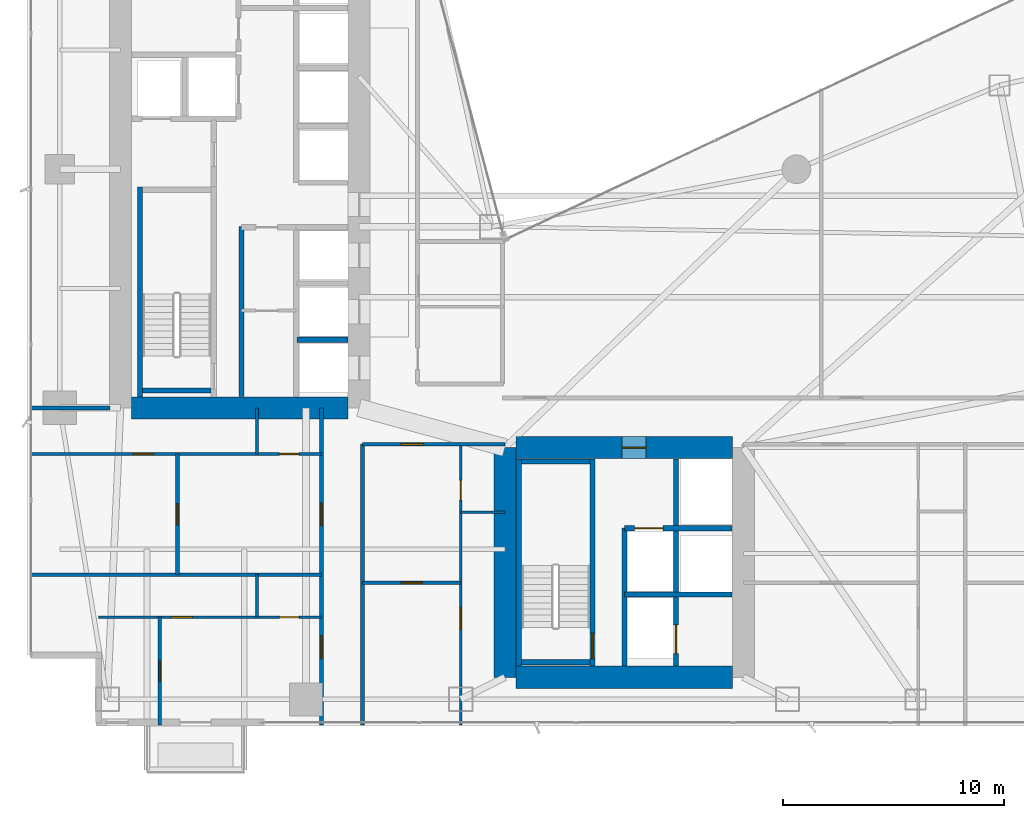
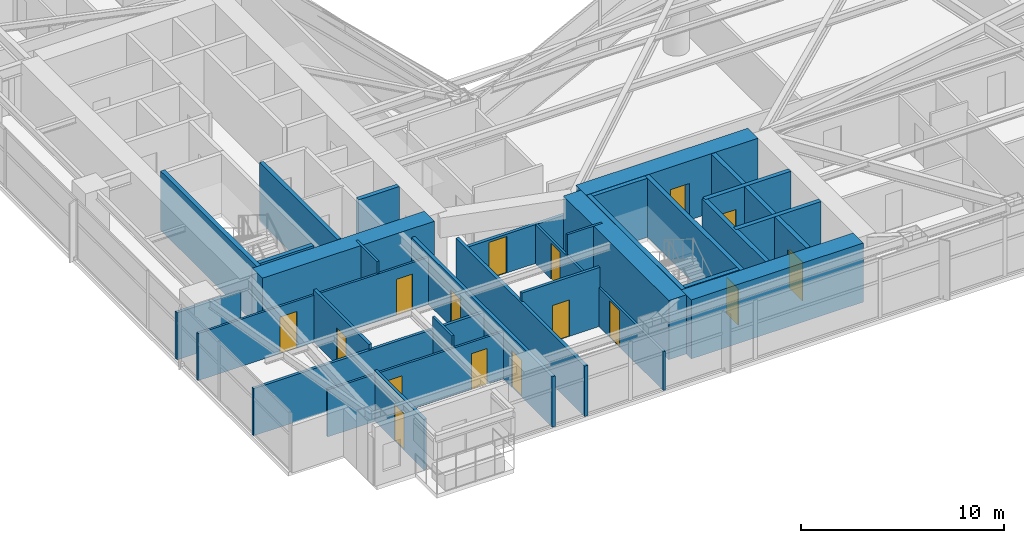
# One storey, part 22 of 29: 30 walls, 16 doors, 16 openings.
"""IFC4 building model written with IfcOpenShell, lengths in metres."""

from ifc_helpers import new_model, si_unit, direction, frame, frame_2d, origin, place, context, subcontext, project, spatial, rectangle, extrude, material, layer, layer_set, type_object, element, fill, save


model = new_model("IFC4")

# Units and contexts
model_context = context("Model", 3, precision=1e-05, world=origin(), true_north=direction((0.0, 1.0)))
body_context = subcontext(model_context, "Body", "Model", "MODEL_VIEW")
ifc_project = project(units=[si_unit("LENGTHUNIT", "METRE"), si_unit("AREAUNIT", "SQUARE_METRE"), si_unit("VOLUMEUNIT", "CUBIC_METRE"), si_unit("PLANEANGLEUNIT", "RADIAN"), si_unit("MASSUNIT", "GRAM", prefix="KILO")], contexts=[model_context])

# Site, building, storey
site_placement = place(None, origin())
site = spatial("IfcSite", under=ifc_project, at=site_placement, CompositionType="ELEMENT")
building_placement = place(site_placement, origin())
building = spatial("IfcBuilding", under=site, at=building_placement, Name="Calvorn Quay Hotel", CompositionType="ELEMENT")
storey_placement = place(building_placement, frame((0.0, 0.0, 66.0)))
storey = spatial("IfcBuildingStorey", under=building, at=storey_placement, Name="L15", CompositionType="ELEMENT", Elevation=66.0)

# Walls
ifc_material_1 = material(Name="Concrete C60", Category="concrete")
ifc_layer_1 = layer(ifc_material_1, 1.0)
ifc_layer_set_1 = layer_set([ifc_layer_1], Name="WL-CORE-1000")
wall_type_1 = type_object("IfcWallType", Name="WL-CORE-1000", PredefinedType="SHEAR", material=ifc_layer_set_1)
wall_1_placement = place(storey_placement, frame((4.699951171875, 16.800048828125, 0.0), z_axis=(0.0, 0.0, 1.0), x_axis=(1.0, 0.0, 0.0)))
element("IfcWall", 1, at=wall_1_placement, inside=storey, type_object=wall_type_1, Name="West Core Shear Wall S (L15)", PredefinedType="SHEAR", context=body_context, shape_type="SweptSolid", body=[
    extrude(rectangle(XDim=9.800048828125, YDim=1.0, at=frame_2d((4.89990234375, 0.0))), origin(), (0.0, 0.0, 1.0), 3.56005859375),
])
wall_2_placement = place(storey_placement, frame((21.60009765625, 4.60009765625, 0.0), z_axis=(0.0, 0.0, 1.0), x_axis=(0.0, 1.0, 0.0)))
element("IfcWall", 2, at=wall_2_placement, inside=storey, type_object=wall_type_1, Name="East Core Shear Wall W (L15)", PredefinedType="SHEAR", context=body_context, shape_type="SweptSolid", body=[
    extrude(rectangle(XDim=10.39990234375, YDim=1.0, at=frame_2d((5.199951171875, 0.0))), origin(), (0.0, 0.0, 1.0), 3.56005859375),
])

# Wall, opening, door
wall_3_placement = place(storey_placement, frame((22.10009765625, 15.0, 0.0), z_axis=(0.0, 0.0, 1.0), x_axis=(1.0, 0.0, 0.0)))
wall_3 = element("IfcWall", 3, at=wall_3_placement, inside=storey, type_object=wall_type_1, Name="East Core Shear Wall N (L15)", PredefinedType="SHEAR", context=body_context, shape_type="SweptSolid", body=[
    extrude(rectangle(XDim=9.7998046875, YDim=1.0, at=frame_2d((4.89990234375, 0.0))), origin(), (0.0, 0.0, 1.0), 3.56005859375),
])
opening_1_placement = place(wall_3_placement, frame((4.800048828125, 0.0, 0.0)))
opening_1 = element("IfcOpeningElement", 4, at=opening_1_placement, cuts=wall_3, Name="Opening D-L15-FLE", PredefinedType="OPENING", context=body_context, shape_type="SweptSolid", body=[
    extrude(rectangle(XDim=1.10009765625, YDim=2.199951171875, at=frame_2d((0.550048828125, 1.10009765625))), frame((0.0, 0.510009765625, 0.0), z_axis=(0.0, -1.0, 0.0), x_axis=(1.0, 0.0, 0.0)), (0.0, 0.0, 1.0), 1.02001953125),
])
ifc_material_2 = material(Name="Smoke-Sealed Steel Class A Fire Door", Category="steel")
door_type_1 = type_object("IfcDoorType", Name="DR-FFLOBBY-1100", OperationType="NOTDEFINED", PredefinedType="DOOR", material=ifc_material_2)
door_1_placement = place(opening_1_placement, origin())
door_1 = element("IfcDoor", 5, at=door_1_placement, inside=storey, type_object=door_type_1, Name="East Firefighting Lobby Fire Door (L15)", OperationType="SINGLE_SWING_LEFT", OverallHeight=2.199951171875, OverallWidth=1.10009765625, PredefinedType="DOOR", context=body_context, shape_type="SweptSolid", body=[
    extrude(rectangle(XDim=1.10009765625, YDim=2.199951171875, at=frame_2d((0.550048828125, 1.10009765625))), frame((0.0, 0.02490234375, 0.0), z_axis=(0.0, -1.0, 0.0), x_axis=(1.0, 0.0, 0.0)), (0.0, 0.0, 1.0), 0.050048828125),
])
fill(opening_1, door_1)

# Walls
wall_4_placement = place(storey_placement, frame((22.10009765625, 4.60009765625, 0.0), z_axis=(0.0, 0.0, 1.0), x_axis=(1.0, 0.0, 0.0)))
element("IfcWall", 6, at=wall_4_placement, inside=storey, type_object=wall_type_1, Name="East Core Shear Wall S (L15)", PredefinedType="SHEAR", context=body_context, shape_type="SweptSolid", body=[
    extrude(rectangle(XDim=9.7998046875, YDim=1.0, at=frame_2d((4.89990234375, 0.0))), origin(), (0.0, 0.0, 1.0), 3.56005859375),
])
ifc_material_3 = material(Name="Acoustic Fireboard Steel-Stud Partition", Category="steel")
ifc_layer_2 = layer(ifc_material_3, 0.179931640625)
ifc_layer_set_2 = layer_set([ifc_layer_2], Name="WL-CORR-FIRE-180")
wall_type_2 = type_object("IfcWallType", Name="WL-CORR-FIRE-180", PredefinedType="PARTITIONING", material=ifc_layer_set_2)
wall_5_placement = place(storey_placement, frame((0.080078125, 16.800048828125, 0.0), z_axis=(0.0, 0.0, 1.0), x_axis=(1.0, 0.0, 0.0)))
element("IfcWall", 7, at=wall_5_placement, inside=storey, type_object=wall_type_2, Name="Partition Wall L15-WL-WBAY-S-WALL", PredefinedType="PARTITIONING", context=body_context, shape_type="SweptSolid", body=[
    extrude(rectangle(XDim=3.64990234375, YDim=0.179931640625, at=frame_2d((1.824951171875, 0.0))), origin(), (0.0, 0.0, 1.0), 2.840087890625),
])

# Wall, openings, doors
wall_6_placement = place(storey_placement, frame((13.300048828125, 2.43994140625, 0.0), z_axis=(0.0, 0.0, 1.0), x_axis=(0.0, 1.0, 0.0)))
wall_6 = element("IfcWall", 8, at=wall_6_placement, inside=storey, type_object=wall_type_2, Name="Partition Wall L15-WL-CORR-SW-LEG-W", PredefinedType="PARTITIONING", context=body_context, shape_type="SweptSolid", body=[
    extrude(rectangle(XDim=14.360107421875, YDim=0.179931640625, at=frame_2d((7.18017578125, 0.0))), origin(), (0.0, 0.0, 1.0), 3.0400390625),
])
opening_2_placement = place(wall_6_placement, frame((3.010009765625, 0.0, 0.0)))
opening_2 = element("IfcOpeningElement", 9, at=opening_2_placement, cuts=wall_6, Name="Opening D-L15-U01", PredefinedType="OPENING", context=body_context, shape_type="SweptSolid", body=[
    extrude(rectangle(XDim=1.02001953125, YDim=2.199951171875, at=frame_2d((0.510009765625, 1.10009765625))), frame((0.0, 0.099853515625, 0.0), z_axis=(0.0, -1.0, 0.0), x_axis=(1.0, 0.0, 0.0)), (0.0, 0.0, 1.0), 0.199951171875),
])
opening_3_placement = place(wall_6_placement, frame((9.030029296875, 0.0, 0.0)))
opening_3 = element("IfcOpeningElement", 10, at=opening_3_placement, cuts=wall_6, Name="Opening D-L15-U02", PredefinedType="OPENING", context=body_context, shape_type="SweptSolid", body=[
    extrude(rectangle(XDim=1.02001953125, YDim=2.199951171875, at=frame_2d((0.510009765625, 1.10009765625))), frame((0.0, 0.099853515625, 0.0), z_axis=(0.0, -1.0, 0.0), x_axis=(1.0, 0.0, 0.0)), (0.0, 0.0, 1.0), 0.199951171875),
])
ifc_material_4 = material(Name="Solid-Core Walnut Veneer Hotel Fire Door")
door_type_2 = type_object("IfcDoorType", Name="DR-GUEST-ENTRY-1020", OperationType="NOTDEFINED", PredefinedType="DOOR", material=ifc_material_4)
door_2_placement = place(opening_2_placement, origin())
door_2 = element("IfcDoor", 11, at=door_2_placement, inside=storey, type_object=door_type_2, Name="South-West Unit Door U01 (L15)", OperationType="SINGLE_SWING_LEFT", OverallHeight=2.199951171875, OverallWidth=1.02001953125, PredefinedType="DOOR", context=body_context, shape_type="SweptSolid", body=[
    extrude(rectangle(XDim=1.02001953125, YDim=2.199951171875, at=frame_2d((0.510009765625, 1.10009765625))), frame((0.0, 0.02490234375, 0.0), z_axis=(0.0, -1.0, 0.0), x_axis=(1.0, 0.0, 0.0)), (0.0, 0.0, 1.0), 0.050048828125),
])
fill(opening_2, door_2)
door_3_placement = place(opening_3_placement, origin())
door_3 = element("IfcDoor", 12, at=door_3_placement, inside=storey, type_object=door_type_2, Name="South-West Unit Door U02 (L15)", OperationType="SINGLE_SWING_RIGHT", OverallHeight=2.199951171875, OverallWidth=1.02001953125, PredefinedType="DOOR", context=body_context, shape_type="SweptSolid", body=[
    extrude(rectangle(XDim=1.02001953125, YDim=2.199951171875, at=frame_2d((0.510009765625, 1.10009765625))), frame((0.0, 0.02490234375, 0.0), z_axis=(0.0, -1.0, 0.0), x_axis=(1.0, 0.0, 0.0)), (0.0, 0.0, 1.0), 0.050048828125),
])
fill(opening_3, door_3)

# Wall
wall_7_placement = place(storey_placement, frame((15.14990234375, 2.43994140625, 0.0), z_axis=(0.0, 0.0, 1.0), x_axis=(0.0, 1.0, 0.0)))
element("IfcWall", 13, at=wall_7_placement, inside=storey, type_object=wall_type_2, Name="Partition Wall L15-WL-CORR-SW-W", PredefinedType="PARTITIONING", context=body_context, shape_type="SweptSolid", body=[
    extrude(rectangle(XDim=12.7099609375, YDim=0.179931640625, at=frame_2d((6.35498046875, 0.0))), origin(), (0.0, 0.0, 1.0), 3.0400390625),
])

# Wall, opening, door
wall_8_placement = place(storey_placement, frame((15.14990234375, 15.14990234375, 0.0), z_axis=(0.0, 0.0, 1.0), x_axis=(1.0, 0.0, 0.0)))
wall_8 = element("IfcWall", 14, at=wall_8_placement, inside=storey, type_object=wall_type_2, Name="Partition Wall L15-WL-SC-CORR-S", PredefinedType="PARTITIONING", context=body_context, shape_type="SweptSolid", body=[
    extrude(rectangle(XDim=6.4501953125, YDim=0.179931640625, at=frame_2d((3.22509765625, 0.0))), origin(), (0.0, 0.0, 1.0), 2.340087890625),
])
opening_4_placement = place(wall_8_placement, frame((1.739990234375, 0.0, 0.0)))
opening_4 = element("IfcOpeningElement", 15, at=opening_4_placement, cuts=wall_8, Name="Opening D-L15-U03", PredefinedType="OPENING", context=body_context, shape_type="SweptSolid", body=[
    extrude(rectangle(XDim=1.02001953125, YDim=2.199951171875, at=frame_2d((0.510009765625, 1.10009765625))), frame((0.0, 0.099853515625, 0.0), z_axis=(0.0, -1.0, 0.0), x_axis=(1.0, 0.0, 0.0)), (0.0, 0.0, 1.0), 0.199951171875),
])
door_4_placement = place(opening_4_placement, origin())
door_4 = element("IfcDoor", 16, at=door_4_placement, inside=storey, type_object=door_type_2, Name="Harbour Central Unit Door (L15)", OperationType="SINGLE_SWING_LEFT", OverallHeight=2.199951171875, OverallWidth=1.02001953125, PredefinedType="DOOR", context=body_context, shape_type="SweptSolid", body=[
    extrude(rectangle(XDim=1.02001953125, YDim=2.199951171875, at=frame_2d((0.510009765625, 1.10009765625))), frame((0.0, 0.02490234375, 0.0), z_axis=(0.0, -1.0, 0.0), x_axis=(1.0, 0.0, 0.0)), (0.0, 0.0, 1.0), 0.050048828125),
])
fill(opening_4, door_4)

# Wall
ifc_material_5 = material(Name="Moisture-Resistant Tile-Backed Partition")
ifc_layer_3 = layer(ifc_material_5, 0.125)
ifc_layer_set_3 = layer_set([ifc_layer_3], Name="WL-ENSUITE-125")
wall_type_3 = type_object("IfcWallType", Name="WL-ENSUITE-125", PredefinedType="PARTITIONING", material=ifc_layer_set_3)
wall_9_placement = place(storey_placement, frame((10.3798828125, 7.320068359375, 0.0), z_axis=(0.0, 0.0, 1.0), x_axis=(0.0, 1.0, 0.0)))
element("IfcWall", 17, at=wall_9_placement, inside=storey, type_object=wall_type_3, Name="Partition Wall L15-WL-U01-BDV", PredefinedType="PARTITIONING", context=body_context, shape_type="SweptSolid", body=[
    extrude(rectangle(XDim=1.929931640625, YDim=0.125, at=frame_2d((0.96484375, 0.0))), origin(), (0.0, 0.0, 1.0), 3.56005859375),
])

# Wall, openings, doors
wall_10_placement = place(storey_placement, frame((3.199951171875, 7.320068359375, 0.0), z_axis=(0.0, 0.0, 1.0), x_axis=(1.0, 0.0, 0.0)))
wall_10 = element("IfcWall", 18, at=wall_10_placement, inside=storey, type_object=wall_type_3, Name="Partition Wall L15-WL-U01-BH", PredefinedType="PARTITIONING", context=body_context, shape_type="SweptSolid", body=[
    extrude(rectangle(XDim=10.10009765625, YDim=0.125, at=frame_2d((5.050048828125, 0.0))), origin(), (0.0, 0.0, 1.0), 2.840087890625),
])
opening_5_placement = place(wall_10_placement, frame((3.2900390625, 0.0, 0.0)))
opening_5 = element("IfcOpeningElement", 19, at=opening_5_placement, cuts=wall_10, Name="Opening D-L15-S01", PredefinedType="OPENING", context=body_context, shape_type="SweptSolid", body=[
    extrude(rectangle(XDim=0.9599609375, YDim=2.199951171875, at=frame_2d((0.47998046875, 1.10009765625))), frame((0.0, 0.072509765625, 0.0), z_axis=(0.0, -1.0, 0.0), x_axis=(1.0, 0.0, 0.0)), (0.0, 0.0, 1.0), 0.14501953125),
])
opening_6_placement = place(wall_10_placement, frame((8.18994140625, 0.0, 0.0)))
opening_6 = element("IfcOpeningElement", 20, at=opening_6_placement, cuts=wall_10, Name="Opening D-L15-E01", PredefinedType="OPENING", context=body_context, shape_type="SweptSolid", body=[
    extrude(rectangle(XDim=0.89990234375, YDim=2.14990234375, at=frame_2d((0.449951171875, 1.074951171875))), frame((0.0, 0.072509765625, 0.0), z_axis=(0.0, -1.0, 0.0), x_axis=(1.0, 0.0, 0.0)), (0.0, 0.0, 1.0), 0.14501953125),
])
ifc_material_6 = material(Name="Moisture-Sealed Timber En-Suite Door", Category="wood")
door_type_3 = type_object("IfcDoorType", Name="DR-ENSUITE-900", OperationType="NOTDEFINED", PredefinedType="DOOR", material=ifc_material_6)
door_5_placement = place(opening_6_placement, origin())
door_5 = element("IfcDoor", 21, at=door_5_placement, inside=storey, type_object=door_type_3, Name="En-Suite Door 01", OperationType="SINGLE_SWING_RIGHT", OverallHeight=2.14990234375, OverallWidth=0.89990234375, PredefinedType="DOOR", context=body_context, shape_type="SweptSolid", body=[
    extrude(rectangle(XDim=0.89990234375, YDim=2.14990234375, at=frame_2d((0.449951171875, 1.074951171875))), frame((0.0, 0.02490234375, 0.0), z_axis=(0.0, -1.0, 0.0), x_axis=(1.0, 0.0, 0.0)), (0.0, 0.0, 1.0), 0.050048828125),
])
fill(opening_6, door_5)
ifc_material_7 = material(Name="Solid Timber Internal Suite Door", Category="wood")
door_type_4 = type_object("IfcDoorType", Name="DR-SUITE-INT-960", OperationType="NOTDEFINED", PredefinedType="DOOR", material=ifc_material_7)
door_6_placement = place(opening_5_placement, origin())
door_6 = element("IfcDoor", 22, at=door_6_placement, inside=storey, type_object=door_type_4, Name="Spa Therapy Room Door 01", OperationType="SINGLE_SWING_LEFT", OverallHeight=2.199951171875, OverallWidth=0.9599609375, PredefinedType="DOOR", context=body_context, shape_type="SweptSolid", body=[
    extrude(rectangle(XDim=0.9599609375, YDim=2.199951171875, at=frame_2d((0.47998046875, 1.10009765625))), frame((0.0, 0.02490234375, 0.0), z_axis=(0.0, -1.0, 0.0), x_axis=(1.0, 0.0, 0.0)), (0.0, 0.0, 1.0), 0.050048828125),
])
fill(opening_5, door_6)

# Wall
wall_11_placement = place(storey_placement, frame((10.3798828125, 14.7099609375, 0.0), z_axis=(0.0, 0.0, 1.0), x_axis=(0.0, 1.0, 0.0)))
element("IfcWall", 23, at=wall_11_placement, inside=storey, type_object=wall_type_3, Name="Partition Wall L15-WL-U02-BDV", PredefinedType="PARTITIONING", context=body_context, shape_type="SweptSolid", body=[
    extrude(rectangle(XDim=2.090087890625, YDim=0.125, at=frame_2d((1.044921875, 0.0))), origin(), (0.0, 0.0, 1.0), 3.56005859375),
])

# Wall, openings, doors
wall_12_placement = place(storey_placement, frame((0.080078125, 14.7099609375, 0.0), z_axis=(0.0, 0.0, 1.0), x_axis=(1.0, 0.0, 0.0)))
wall_12 = element("IfcWall", 24, at=wall_12_placement, inside=storey, type_object=wall_type_3, Name="Partition Wall L15-WL-U02-BH", PredefinedType="PARTITIONING", context=body_context, shape_type="SweptSolid", body=[
    extrude(rectangle(XDim=13.219970703125, YDim=0.125, at=frame_2d((6.60986328125, 0.0))), origin(), (0.0, 0.0, 1.0), 2.840087890625),
])
opening_7_placement = place(wall_12_placement, frame((4.669921875, 0.0, 0.0)))
opening_7 = element("IfcOpeningElement", 25, at=opening_7_placement, cuts=wall_12, Name="Opening D-L15-S02", PredefinedType="OPENING", context=body_context, shape_type="SweptSolid", body=[
    extrude(rectangle(XDim=0.9599609375, YDim=2.199951171875, at=frame_2d((0.47998046875, 1.10009765625))), frame((0.0, 0.072509765625, 0.0), z_axis=(0.0, -1.0, 0.0), x_axis=(1.0, 0.0, 0.0)), (0.0, 0.0, 1.0), 0.14501953125),
])
opening_8_placement = place(wall_12_placement, frame((11.31005859375, 0.0, 0.0)))
opening_8 = element("IfcOpeningElement", 26, at=opening_8_placement, cuts=wall_12, Name="Opening D-L15-E02", PredefinedType="OPENING", context=body_context, shape_type="SweptSolid", body=[
    extrude(rectangle(XDim=0.89990234375, YDim=2.14990234375, at=frame_2d((0.449951171875, 1.074951171875))), frame((0.0, 0.072509765625, 0.0), z_axis=(0.0, -1.0, 0.0), x_axis=(1.0, 0.0, 0.0)), (0.0, 0.0, 1.0), 0.14501953125),
])
door_7_placement = place(opening_8_placement, origin())
door_7 = element("IfcDoor", 27, at=door_7_placement, inside=storey, type_object=door_type_3, Name="En-Suite Door 02", OperationType="SINGLE_SWING_RIGHT", OverallHeight=2.14990234375, OverallWidth=0.89990234375, PredefinedType="DOOR", context=body_context, shape_type="SweptSolid", body=[
    extrude(rectangle(XDim=0.89990234375, YDim=2.14990234375, at=frame_2d((0.449951171875, 1.074951171875))), frame((0.0, 0.02490234375, 0.0), z_axis=(0.0, -1.0, 0.0), x_axis=(1.0, 0.0, 0.0)), (0.0, 0.0, 1.0), 0.050048828125),
])
fill(opening_8, door_7)
door_8_placement = place(opening_7_placement, origin())
door_8 = element("IfcDoor", 28, at=door_8_placement, inside=storey, type_object=door_type_4, Name="Spa Therapy Room Door 02", OperationType="SINGLE_SWING_LEFT", OverallHeight=2.199951171875, OverallWidth=0.9599609375, PredefinedType="DOOR", context=body_context, shape_type="SweptSolid", body=[
    extrude(rectangle(XDim=0.9599609375, YDim=2.199951171875, at=frame_2d((0.47998046875, 1.10009765625))), frame((0.0, 0.02490234375, 0.0), z_axis=(0.0, -1.0, 0.0), x_axis=(1.0, 0.0, 0.0)), (0.0, 0.0, 1.0), 0.050048828125),
])
fill(opening_7, door_8)

# Wall
wall_13_placement = place(storey_placement, frame((19.60009765625, 12.070068359375, 0.0), z_axis=(0.0, 0.0, 1.0), x_axis=(1.0, 0.0, 0.0)))
element("IfcWall", 29, at=wall_13_placement, inside=storey, type_object=wall_type_3, Name="Partition Wall L15-WL-U03-BDV", PredefinedType="PARTITIONING", context=body_context, shape_type="SweptSolid", body=[
    extrude(rectangle(XDim=2.0, YDim=0.125, at=frame_2d((1.0, 0.0))), origin(), (0.0, 0.0, 1.0), 3.56005859375),
])

# Wall, openings, doors
wall_14_placement = place(storey_placement, frame((19.60009765625, 2.43994140625, 0.0), z_axis=(0.0, 0.0, 1.0), x_axis=(0.0, 1.0, 0.0)))
wall_14 = element("IfcWall", 30, at=wall_14_placement, inside=storey, type_object=wall_type_3, Name="Partition Wall L15-WL-U03-BV", PredefinedType="PARTITIONING", context=body_context, shape_type="SweptSolid", body=[
    extrude(rectangle(XDim=12.7099609375, YDim=0.125, at=frame_2d((6.35498046875, 0.0))), origin(), (0.0, 0.0, 1.0), 2.340087890625),
])
opening_9_placement = place(wall_14_placement, frame((4.340087890625, 0.0, 0.0)))
opening_9 = element("IfcOpeningElement", 31, at=opening_9_placement, cuts=wall_14, Name="Opening D-L15-S03", PredefinedType="OPENING", context=body_context, shape_type="SweptSolid", body=[
    extrude(rectangle(XDim=0.9599609375, YDim=2.199951171875, at=frame_2d((0.47998046875, 1.10009765625))), frame((0.0, 0.072509765625, 0.0), z_axis=(0.0, -1.0, 0.0), x_axis=(1.0, 0.0, 0.0)), (0.0, 0.0, 1.0), 0.14501953125),
])
opening_10_placement = place(wall_14_placement, frame((10.179931640625, 0.0, 0.0)))
opening_10 = element("IfcOpeningElement", 32, at=opening_10_placement, cuts=wall_14, Name="Opening D-L15-E03", PredefinedType="OPENING", context=body_context, shape_type="SweptSolid", body=[
    extrude(rectangle(XDim=0.89990234375, YDim=2.14990234375, at=frame_2d((0.449951171875, 1.074951171875))), frame((0.0, 0.072509765625, 0.0), z_axis=(0.0, -1.0, 0.0), x_axis=(1.0, 0.0, 0.0)), (0.0, 0.0, 1.0), 0.14501953125),
])
door_9_placement = place(opening_10_placement, origin())
door_9 = element("IfcDoor", 33, at=door_9_placement, inside=storey, type_object=door_type_3, Name="En-Suite Door 03", OperationType="SINGLE_SWING_RIGHT", OverallHeight=2.14990234375, OverallWidth=0.89990234375, PredefinedType="DOOR", context=body_context, shape_type="SweptSolid", body=[
    extrude(rectangle(XDim=0.89990234375, YDim=2.14990234375, at=frame_2d((0.449951171875, 1.074951171875))), frame((0.0, 0.02490234375, 0.0), z_axis=(0.0, -1.0, 0.0), x_axis=(1.0, 0.0, 0.0)), (0.0, 0.0, 1.0), 0.050048828125),
])
fill(opening_10, door_9)
door_10_placement = place(opening_9_placement, origin())
door_10 = element("IfcDoor", 34, at=door_10_placement, inside=storey, type_object=door_type_4, Name="Spa Therapy Room Door 03", OperationType="SINGLE_SWING_LEFT", OverallHeight=2.199951171875, OverallWidth=0.9599609375, PredefinedType="DOOR", context=body_context, shape_type="SweptSolid", body=[
    extrude(rectangle(XDim=0.9599609375, YDim=2.199951171875, at=frame_2d((0.47998046875, 1.10009765625))), frame((0.0, 0.02490234375, 0.0), z_axis=(0.0, -1.0, 0.0), x_axis=(1.0, 0.0, 0.0)), (0.0, 0.0, 1.0), 0.050048828125),
])
fill(opening_9, door_10)

# Wall, opening, door
ifc_material_8 = material(Name="Double-Stud Acoustic Gypsum Partition")
ifc_layer_4 = layer(ifc_material_8, 0.159912109375)
ifc_layer_set_4 = layer_set([ifc_layer_4], Name="WL-INTERSUITE-160")
wall_type_4 = type_object("IfcWallType", Name="WL-INTERSUITE-160", PredefinedType="PARTITIONING", material=ifc_layer_set_4)
wall_15_placement = place(storey_placement, frame((5.97998046875, 2.43994140625, 0.0), z_axis=(0.0, 0.0, 1.0), x_axis=(0.0, 1.0, 0.0)))
wall_15 = element("IfcWall", 35, at=wall_15_placement, inside=storey, type_object=wall_type_4, Name="Partition Wall L15-WL-U01-MSP", PredefinedType="PARTITIONING", context=body_context, shape_type="SweptSolid", body=[
    extrude(rectangle(XDim=4.880126953125, YDim=0.159912109375, at=frame_2d((2.43994140625, 0.0))), origin(), (0.0, 0.0, 1.0), 3.0400390625),
])
opening_11_placement = place(wall_15_placement, frame((1.9599609375, 0.0, 0.0)))
opening_11 = element("IfcOpeningElement", 36, at=opening_11_placement, cuts=wall_15, Name="Opening D-L15-M01", PredefinedType="OPENING", context=body_context, shape_type="SweptSolid", body=[
    extrude(rectangle(XDim=0.9599609375, YDim=2.199951171875, at=frame_2d((0.47998046875, 1.10009765625))), frame((0.0, 0.08984375, 0.0), z_axis=(0.0, -1.0, 0.0), x_axis=(1.0, 0.0, 0.0)), (0.0, 0.0, 1.0), 0.179931640625),
])
door_11_placement = place(opening_11_placement, origin())
door_11 = element("IfcDoor", 37, at=door_11_placement, inside=storey, type_object=door_type_4, Name="Suite Bedroom Door 01", OperationType="SINGLE_SWING_LEFT", OverallHeight=2.199951171875, OverallWidth=0.9599609375, PredefinedType="DOOR", context=body_context, shape_type="SweptSolid", body=[
    extrude(rectangle(XDim=0.9599609375, YDim=2.199951171875, at=frame_2d((0.47998046875, 1.10009765625))), frame((0.0, 0.02490234375, 0.0), z_axis=(0.0, -1.0, 0.0), x_axis=(1.0, 0.0, 0.0)), (0.0, 0.0, 1.0), 0.050048828125),
])
fill(opening_11, door_11)

wall_16_placement = place(storey_placement, frame((6.780029296875, 9.25, 0.0), z_axis=(0.0, 0.0, 1.0), x_axis=(0.0, 1.0, 0.0)))
wall_16 = element("IfcWall", 38, at=wall_16_placement, inside=storey, type_object=wall_type_4, Name="Partition Wall L15-WL-U02-MSP", PredefinedType="PARTITIONING", context=body_context, shape_type="SweptSolid", body=[
    extrude(rectangle(XDim=5.4599609375, YDim=0.159912109375, at=frame_2d((2.72998046875, 0.0))), origin(), (0.0, 0.0, 1.0), 3.139892578125),
])
opening_12_placement = place(wall_16_placement, frame((2.25, 0.0, 0.0)))
opening_12 = element("IfcOpeningElement", 39, at=opening_12_placement, cuts=wall_16, Name="Opening D-L15-M02", PredefinedType="OPENING", context=body_context, shape_type="SweptSolid", body=[
    extrude(rectangle(XDim=0.9599609375, YDim=2.199951171875, at=frame_2d((0.47998046875, 1.10009765625))), frame((0.0, 0.08984375, 0.0), z_axis=(0.0, -1.0, 0.0), x_axis=(1.0, 0.0, 0.0)), (0.0, 0.0, 1.0), 0.179931640625),
])
door_12_placement = place(opening_12_placement, origin())
door_12 = element("IfcDoor", 40, at=door_12_placement, inside=storey, type_object=door_type_4, Name="Suite Bedroom Door 02", OperationType="SINGLE_SWING_LEFT", OverallHeight=2.199951171875, OverallWidth=0.9599609375, PredefinedType="DOOR", context=body_context, shape_type="SweptSolid", body=[
    extrude(rectangle(XDim=0.9599609375, YDim=2.199951171875, at=frame_2d((0.47998046875, 1.10009765625))), frame((0.0, 0.02490234375, 0.0), z_axis=(0.0, -1.0, 0.0), x_axis=(1.0, 0.0, 0.0)), (0.0, 0.0, 1.0), 0.050048828125),
])
fill(opening_12, door_12)

# Wall
wall_17_placement = place(storey_placement, frame((0.080078125, 9.25, 0.0), z_axis=(0.0, 0.0, 1.0), x_axis=(1.0, 0.0, 0.0)))
element("IfcWall", 41, at=wall_17_placement, inside=storey, type_object=wall_type_4, Name="Partition Wall L15-WL-SW-DIV-1", PredefinedType="PARTITIONING", context=body_context, shape_type="SweptSolid", body=[
    extrude(rectangle(XDim=13.219970703125, YDim=0.159912109375, at=frame_2d((6.60986328125, 0.0))), origin(), (0.0, 0.0, 1.0), 2.840087890625),
])

# Wall, opening, door
wall_18_placement = place(storey_placement, frame((15.14990234375, 8.8701171875, 0.0), z_axis=(0.0, 0.0, 1.0), x_axis=(1.0, 0.0, 0.0)))
wall_18 = element("IfcWall", 42, at=wall_18_placement, inside=storey, type_object=wall_type_4, Name="Partition Wall L15-WL-U03-MSP", PredefinedType="PARTITIONING", context=body_context, shape_type="SweptSolid", body=[
    extrude(rectangle(XDim=4.4501953125, YDim=0.159912109375, at=frame_2d((2.22509765625, 0.0))), origin(), (0.0, 0.0, 1.0), 3.56005859375),
])
opening_13_placement = place(wall_18_placement, frame((1.75, 0.0, 0.0)))
opening_13 = element("IfcOpeningElement", 43, at=opening_13_placement, cuts=wall_18, Name="Opening D-L15-M03", PredefinedType="OPENING", context=body_context, shape_type="SweptSolid", body=[
    extrude(rectangle(XDim=0.9599609375, YDim=2.199951171875, at=frame_2d((0.47998046875, 1.10009765625))), frame((0.0, 0.08984375, 0.0), z_axis=(0.0, -1.0, 0.0), x_axis=(1.0, 0.0, 0.0)), (0.0, 0.0, 1.0), 0.179931640625),
])
door_13_placement = place(opening_13_placement, origin())
door_13 = element("IfcDoor", 44, at=door_13_placement, inside=storey, type_object=door_type_4, Name="Suite Bedroom Door 03", OperationType="SINGLE_SWING_LEFT", OverallHeight=2.199951171875, OverallWidth=0.9599609375, PredefinedType="DOOR", context=body_context, shape_type="SweptSolid", body=[
    extrude(rectangle(XDim=0.9599609375, YDim=2.199951171875, at=frame_2d((0.47998046875, 1.10009765625))), frame((0.0, 0.02490234375, 0.0), z_axis=(0.0, -1.0, 0.0), x_axis=(1.0, 0.0, 0.0)), (0.0, 0.0, 1.0), 0.050048828125),
])
fill(opening_13, door_13)

# Walls
ifc_material_9 = material(Name="Autoclaved Aerated Masonry Block", Category="masonry")
ifc_layer_5 = layer(ifc_material_9, 0.219970703125)
ifc_layer_set_5 = layer_set([ifc_layer_5], Name="WL-LOBBY-FIRE-220")
wall_type_5 = type_object("IfcWallType", Name="WL-LOBBY-FIRE-220", PredefinedType="SOLIDWALL", material=ifc_layer_set_5)
wall_19_placement = place(storey_placement, frame((9.679931640625, 17.320068359375, 0.0), z_axis=(0.0, 0.0, 1.0), x_axis=(0.0, 1.0, 0.0)))
element("IfcWall", 45, at=wall_19_placement, inside=storey, type_object=wall_type_5, Name="Partition Wall L15-WL-CWW-STW-HALL-E", PredefinedType="SOLIDWALL", context=body_context, shape_type="SweptSolid", body=[
    extrude(rectangle(XDim=7.679931640625, YDim=0.219970703125, at=frame_2d((3.83984375, 0.0))), origin(), (0.0, 0.0, 1.0), 3.56005859375),
])
ifc_material_10 = material(Name="Concrete C40", Category="concrete")
ifc_layer_6 = layer(ifc_material_10, 0.239990234375)
ifc_layer_set_6 = layer_set([ifc_layer_6], Name="WL-SHAFT-240")
wall_type_6 = type_object("IfcWallType", Name="WL-SHAFT-240", PredefinedType="SOLIDWALL", material=ifc_layer_set_6)
wall_20_placement = place(storey_placement, frame((5.080078125, 17.300048828125, 0.0), z_axis=(0.0, 0.0, 1.0), x_axis=(0.0, 1.0, 0.0)))
element("IfcWall", 46, at=wall_20_placement, inside=storey, type_object=wall_type_6, Name="Stair STW Shaft Wall W (L15)", PredefinedType="SOLIDWALL", context=body_context, shape_type="SweptSolid", body=[
    extrude(rectangle(XDim=9.489990234375, YDim=0.239990234375, at=frame_2d((4.7451171875, 0.0))), origin(), (0.0, 0.0, 1.0), 3.56005859375),
])
wall_21_placement = place(storey_placement, frame((5.199951171875, 17.580078125, 0.0), z_axis=(0.0, 0.0, 1.0), x_axis=(1.0, 0.0, 0.0)))
element("IfcWall", 47, at=wall_21_placement, inside=storey, type_object=wall_type_6, Name="Stair STW Shaft Wall S (L15)", PredefinedType="SOLIDWALL", context=body_context, shape_type="SweptSolid", body=[
    extrude(rectangle(XDim=3.10009765625, YDim=0.239990234375, at=frame_2d((1.550048828125, 0.0))), origin(), (0.0, 0.0, 1.0), 3.56005859375),
])
wall_22_placement = place(storey_placement, frame((22.22998046875, 5.10009765625, 0.0), z_axis=(0.0, 0.0, 1.0), x_axis=(0.0, 1.0, 0.0)))
element("IfcWall", 48, at=wall_22_placement, inside=storey, type_object=wall_type_6, Name="Stair STE Shaft Wall W (L15)", PredefinedType="SOLIDWALL", context=body_context, shape_type="SweptSolid", body=[
    extrude(rectangle(XDim=9.389892578125, YDim=0.239990234375, at=frame_2d((4.69482421875, 0.0))), origin(), (0.0, 0.0, 1.0), 3.56005859375),
])

# Wall, opening, door
wall_23_placement = place(storey_placement, frame((25.570068359375, 5.10009765625, 0.0), z_axis=(0.0, 0.0, 1.0), x_axis=(0.0, 1.0, 0.0)))
wall_23 = element("IfcWall", 49, at=wall_23_placement, inside=storey, type_object=wall_type_6, Name="Stair STE Shaft Wall E (L15)", PredefinedType="SOLIDWALL", context=body_context, shape_type="SweptSolid", body=[
    extrude(rectangle(XDim=9.389892578125, YDim=0.239990234375, at=frame_2d((4.69482421875, 0.0))), origin(), (0.0, 0.0, 1.0), 3.56005859375),
])
opening_14_placement = place(wall_23_placement, frame((0.35009765625, 0.0, 0.0)))
opening_14 = element("IfcOpeningElement", 50, at=opening_14_placement, cuts=wall_23, Name="Opening D-L15-STE", PredefinedType="OPENING", context=body_context, shape_type="SweptSolid", body=[
    extrude(rectangle(XDim=1.14990234375, YDim=2.199951171875, at=frame_2d((0.574951171875, 1.10009765625))), frame((0.0, 0.1298828125, 0.0), z_axis=(0.0, -1.0, 0.0), x_axis=(1.0, 0.0, 0.0)), (0.0, 0.0, 1.0), 0.260009765625),
])
ifc_material_11 = material(Name="Galvanised Steel Class A Fire Door", Category="steel")
door_type_5 = type_object("IfcDoorType", Name="DR-STAIR-SMOKE-1150", OperationType="NOTDEFINED", PredefinedType="DOOR", material=ifc_material_11)
door_14_placement = place(opening_14_placement, origin())
door_14 = element("IfcDoor", 51, at=door_14_placement, inside=storey, type_object=door_type_5, Name="Stair ST-E Fire Door (L15)", OperationType="SINGLE_SWING_RIGHT", OverallHeight=2.199951171875, OverallWidth=1.14990234375, PredefinedType="DOOR", context=body_context, shape_type="SweptSolid", body=[
    extrude(rectangle(XDim=1.14990234375, YDim=2.199951171875, at=frame_2d((0.574951171875, 1.10009765625))), frame((0.0, 0.02490234375, 0.0), z_axis=(0.0, -1.0, 0.0), x_axis=(1.0, 0.0, 0.0)), (0.0, 0.0, 1.0), 0.050048828125),
])
fill(opening_14, door_14)

# Walls
for number, where, z_axis, x_axis, name in (
    (52, (22.35009765625, 5.280029296875, 0.0), (0.0, 0.0, 1.0), (1.0, 0.0, 0.0), "Stair STE Shaft Wall S (L15)"),
    (53, (22.35009765625, 14.3701171875, 0.0), (0.0, 0.0, 1.0), (1.0, 0.0, 0.0), "Stair STE Shaft Wall N (L15)"),
):
    element("IfcWall", number, at=place(storey_placement, frame(where, z_axis=z_axis, x_axis=x_axis)), inside=storey, type_object=wall_type_6, Name=name, PredefinedType="SOLIDWALL", context=body_context, shape_type="SweptSolid", body=[
        extrude(rectangle(XDim=3.099853515625, YDim=0.239990234375, at=frame_2d((1.5498046875, 0.0))), origin(), (0.0, 0.0, 1.0), 3.56005859375),
    ])
wall_24_placement = place(storey_placement, frame((12.179931640625, 19.875, 0.0), z_axis=(0.0, 0.0, 1.0), x_axis=(1.0, 0.0, 0.0)))
element("IfcWall", 54, at=wall_24_placement, inside=storey, type_object=wall_type_6, Name="Lift Hoistway Divider Wall PLL12 (L15)", PredefinedType="SOLIDWALL", context=body_context, shape_type="SweptSolid", body=[
    extrude(rectangle(XDim=2.320068359375, YDim=0.239990234375, at=frame_2d((1.16015625, 0.0))), origin(), (0.0, 0.0, 1.0), 3.56005859375),
])
wall_25_placement = place(storey_placement, frame((27.02001953125, 5.1201171875, 0.0), z_axis=(0.0, 0.0, 1.0), x_axis=(0.0, 1.0, 0.0)))
element("IfcWall", 55, at=wall_25_placement, inside=storey, type_object=wall_type_6, Name="Partition Wall L15-WL-CWE-SH-W", PredefinedType="SOLIDWALL", context=body_context, shape_type="SweptSolid", body=[
    extrude(rectangle(XDim=6.22998046875, YDim=0.239990234375, at=frame_2d((3.114990234375, 0.0))), origin(), (0.0, 0.0, 1.0), 3.56005859375),
])

# Wall, opening, door
wall_26_placement = place(storey_placement, frame((27.02001953125, 11.35009765625, 0.0), z_axis=(0.0, 0.0, 1.0), x_axis=(1.0, 0.0, 0.0)))
wall_26 = element("IfcWall", 56, at=wall_26_placement, inside=storey, type_object=wall_type_6, Name="Partition Wall L15-WL-CWE-FFL-S", PredefinedType="SOLIDWALL", context=body_context, shape_type="SweptSolid", body=[
    extrude(rectangle(XDim=4.85986328125, YDim=0.239990234375, at=frame_2d((2.429931640625, 0.0))), origin(), (0.0, 0.0, 1.0), 3.56005859375),
])
opening_15_placement = place(wall_26_placement, frame((0.449951171875, 0.0, 0.0)))
opening_15 = element("IfcOpeningElement", 57, at=opening_15_placement, cuts=wall_26, Name="Opening LD-L15-FLE1", PredefinedType="OPENING", context=body_context, shape_type="SweptSolid", body=[
    extrude(rectangle(XDim=1.300048828125, YDim=2.35009765625, at=frame_2d((0.64990234375, 1.175048828125))), frame((0.0, 0.1298828125, 0.0), z_axis=(0.0, -1.0, 0.0), x_axis=(1.0, 0.0, 0.0)), (0.0, 0.0, 1.0), 0.260009765625),
])
ifc_material_12 = material(Name="Champagne-Bronze Sliding Express Lift Landing Door")
door_type_6 = type_object("IfcDoorType", Name="DR-LIFT-SHUTTLE-1300", OperationType="NOTDEFINED", PredefinedType="DOOR", material=ifc_material_12)
door_15_placement = place(opening_15_placement, origin())
door_15 = element("IfcDoor", 58, at=door_15_placement, inside=storey, type_object=door_type_6, Name="Firefighting Lift FL-E1 Landing Door (L15)", OperationType="DOUBLE_DOOR_SLIDING", OverallHeight=2.35009765625, OverallWidth=1.300048828125, PredefinedType="DOOR", context=body_context, shape_type="SweptSolid", body=[
    extrude(rectangle(XDim=1.300048828125, YDim=2.35009765625, at=frame_2d((0.64990234375, 1.175048828125))), frame((0.0, 0.02490234375, 0.0), z_axis=(0.0, -1.0, 0.0), x_axis=(1.0, 0.0, 0.0)), (0.0, 0.0, 1.0), 0.050048828125),
])
fill(opening_15, door_15)

# Wall
wall_27_placement = place(storey_placement, frame((27.02001953125, 8.35009765625, 0.0), z_axis=(0.0, 0.0, 1.0), x_axis=(1.0, 0.0, 0.0)))
element("IfcWall", 59, at=wall_27_placement, inside=storey, type_object=wall_type_6, Name="Partition Wall L15-WL-CWE-SL-N", PredefinedType="SOLIDWALL", context=body_context, shape_type="SweptSolid", body=[
    extrude(rectangle(XDim=4.85986328125, YDim=0.239990234375, at=frame_2d((2.429931640625, 0.0))), origin(), (0.0, 0.0, 1.0), 3.56005859375),
])

# Wall, opening, door
wall_28_placement = place(storey_placement, frame((29.35009765625, 5.1201171875, 0.0), z_axis=(0.0, 0.0, 1.0), x_axis=(0.0, 1.0, 0.0)))
wall_28 = element("IfcWall", 60, at=wall_28_placement, inside=storey, type_object=wall_type_6, Name="Partition Wall L15-WL-CWE-OB-W", PredefinedType="SOLIDWALL", context=body_context, shape_type="SweptSolid", body=[
    extrude(rectangle(XDim=9.35986328125, YDim=0.239990234375, at=frame_2d((4.679931640625, 0.0))), origin(), (0.0, 0.0, 1.0), 3.56005859375),
])
opening_16_placement = place(wall_28_placement, frame((0.550048828125, 0.0, 0.0)))
opening_16 = element("IfcOpeningElement", 61, at=opening_16_placement, cuts=wall_28, Name="Opening LD-L15-SLEI", PredefinedType="OPENING", context=body_context, shape_type="SweptSolid", body=[
    extrude(rectangle(XDim=1.300048828125, YDim=2.35009765625, at=frame_2d((0.64990234375, 1.175048828125))), frame((0.0, 0.1298828125, 0.0), z_axis=(0.0, -1.0, 0.0), x_axis=(1.0, 0.0, 0.0)), (0.0, 0.0, 1.0), 0.260009765625),
])
door_16_placement = place(opening_16_placement, origin())
door_16 = element("IfcDoor", 62, at=door_16_placement, inside=storey, type_object=door_type_6, Name="Service Lift SL-E1 Landing Door (L15)", OperationType="DOUBLE_DOOR_SLIDING", OverallHeight=2.35009765625, OverallWidth=1.300048828125, PredefinedType="DOOR", context=body_context, shape_type="SweptSolid", body=[
    extrude(rectangle(XDim=1.300048828125, YDim=2.35009765625, at=frame_2d((0.64990234375, 1.175048828125))), frame((0.0, 0.02490234375, 0.0), z_axis=(0.0, -1.0, 0.0), x_axis=(1.0, 0.0, 0.0)), (0.0, 0.0, 1.0), 0.050048828125),
])
fill(opening_16, door_16)

save(model, "model.ifc")
